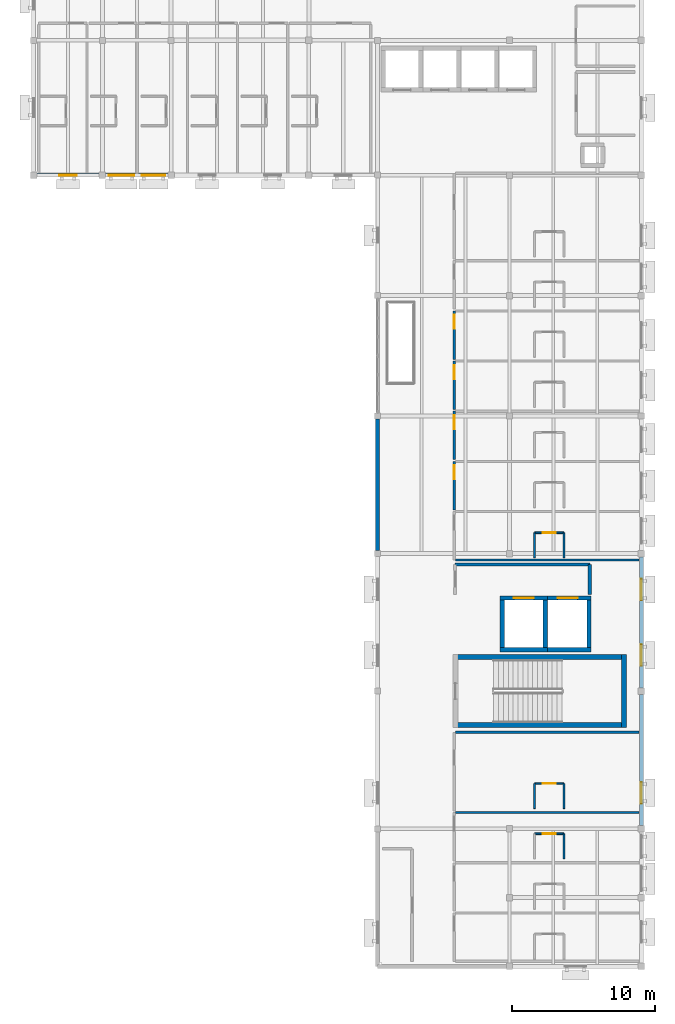
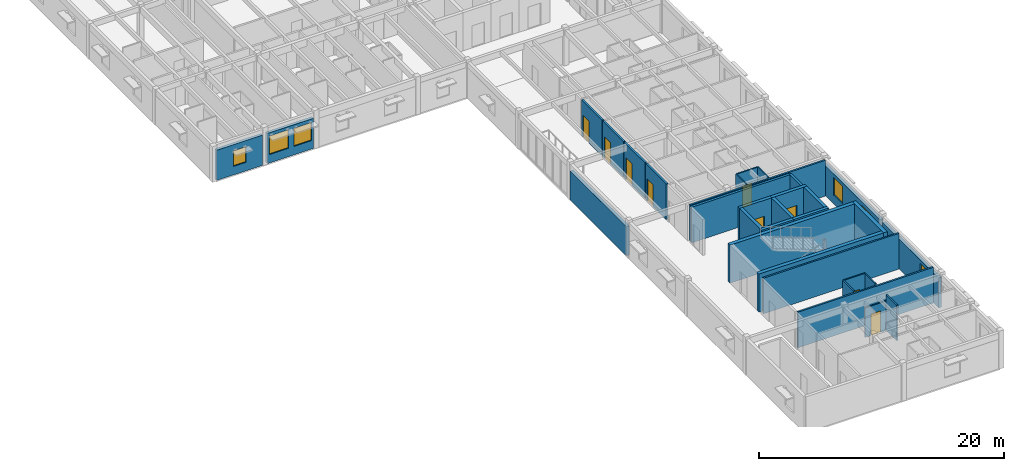
# One storey, part 7 of 17: 32 walls, 9 doors, 6 windows, 15 openings.
"""IFC4 building model written with IfcOpenShell, lengths in metres."""

import ifcopenshell
import ifcopenshell.guid

model = None  # the IFC model being written
_history = None  # IfcOwnerHistory: only IFC2X3 demands one
_inside = {}  # id of a spatial element -> (the spatial element, [elements in it])
_under = {}  # id of a project, library or spatial element -> (it, [spatial elements below it])
_declared = {}  # id of a project -> (the project, [libraries it declares])
_typed = {}  # id of a type object -> (the type object, [elements of that type])
_made_of = {}  # id of a material, layer set ... -> (it, [elements and type objects made of it])


def new_model(schema):
    """Start an empty IFC model of exactly this schema.

    Asked for "IFC4X3", IfcOpenShell would pick the latest addendum, in which some entities
    have other attributes; the version numbers below select the first issue.
    IFC2X3 requires an IfcOwnerHistory on every rooted entity: one is made here for all.
    """
    global model, _history
    if schema == "IFC4X3":
        model = ifcopenshell.file(schema_version=(4, 3, 0, 0))
    else:
        model = ifcopenshell.file(schema=schema)
    _inside.clear()
    _under.clear()
    _declared.clear()
    _typed.clear()
    _made_of.clear()
    _history = None
    if model.schema == "IFC2X3":
        org = make("IfcOrganization", Name="unknown")
        user = make(
            "IfcPersonAndOrganization",
            ThePerson=make("IfcPerson", FamilyName="unknown"),
            TheOrganization=org,
        )
        app = make(
            "IfcApplication",
            ApplicationDeveloper=org,
            Version="unknown",
            ApplicationFullName="unknown",
            ApplicationIdentifier="unknown",
        )
        _history = make(
            "IfcOwnerHistory",
            OwningUser=user,
            OwningApplication=app,
            ChangeAction="ADDED",
            CreationDate=0,
        )
    return model


def make(cls, **values):
    """One entity of the class cls with the attributes given. An attribute that is None is left unset."""
    return model.create_entity(
        cls, **{name: value for name, value in values.items() if value is not None}
    )


def rooted(cls, **values):
    """An entity with a GlobalId (a new one), such as an element, a storey or a relation."""
    return make(cls, GlobalId=ifcopenshell.guid.new(), OwnerHistory=_history, **values)


def si_unit(unit_type, name, prefix=None):
    """IfcSIUnit, for example si_unit("LENGTHUNIT", "METRE", prefix="MILLI")."""
    return make("IfcSIUnit", UnitType=unit_type, Prefix=prefix, Name=name)


def assignment(units):
    """IfcUnitAssignment: the units of a project."""
    return None if units is None else make("IfcUnitAssignment", Units=units)


def point(xyz):
    """IfcCartesianPoint."""
    return None if xyz is None else make("IfcCartesianPoint", Coordinates=xyz)


def direction(xyz):
    """IfcDirection."""
    return None if xyz is None else make("IfcDirection", DirectionRatios=xyz)


def frame(location, z_axis=None, x_axis=None):
    """IfcAxis2Placement3D, a coordinate frame: its origin and axes. An axis left out is left unset."""
    return make(
        "IfcAxis2Placement3D",
        Location=point(location),
        Axis=direction(z_axis),
        RefDirection=direction(x_axis),
    )


def frame_2d(location, x_axis=None):
    """IfcAxis2Placement2D, a coordinate frame in the plane: its origin and x axis."""
    return make(
        "IfcAxis2Placement2D", Location=point(location), RefDirection=direction(x_axis)
    )


def origin():
    """The frame at (0, 0, 0) with its axes left unset."""
    return frame((0.0, 0.0, 0.0))


def place(relative_to, where):
    """IfcLocalPlacement: puts the frame where relative to a parent placement (None: the world)."""
    return make(
        "IfcLocalPlacement", PlacementRelTo=relative_to, RelativePlacement=where
    )


def context(
    kind, dimensions, precision=None, world=None, true_north=None, identifier=None
):
    """IfcGeometricRepresentationContext, for example the 3D "Model" context."""
    return make(
        "IfcGeometricRepresentationContext",
        ContextIdentifier=identifier,
        ContextType=kind,
        CoordinateSpaceDimension=dimensions,
        Precision=precision,
        WorldCoordinateSystem=world,
        TrueNorth=true_north,
    )


def subcontext(parent, identifier, kind, view, scale=None):
    """IfcGeometricRepresentationSubContext, for example "Body" below "Model"."""
    return make(
        "IfcGeometricRepresentationSubContext",
        ContextIdentifier=identifier,
        ContextType=kind,
        ParentContext=parent,
        TargetScale=scale,
        TargetView=view,
    )


def project(units=None, contexts=None):
    """IfcProject with its units and contexts."""
    return rooted(
        "IfcProject",
        Name="project",
        RepresentationContexts=contexts,
        UnitsInContext=assignment(units),
    )


def spatial(cls, under=None, at=None, **own):
    """A site, building, storey or space (cls), placed at a placement, below another one or the project."""
    s = rooted(cls, ObjectPlacement=at, **own)
    if under is not None:
        _under.setdefault(under.id(), (under, []))[1].append(s)
    return s


def profile(cls, at=None, kind="AREA", **sizes):
    """A parametric profile (cls). Its sizes go by their IFC names, for example OverallWidth=200.0."""
    return make(cls, ProfileType=kind, Position=at, **sizes)


def rectangle(**sizes):
    """IfcRectangleProfileDef."""
    return profile("IfcRectangleProfileDef", **sizes)


def extrude(swept, where, along, depth):
    """IfcExtrudedAreaSolid: the profile swept, set in the frame where, extruded along a direction by depth."""
    return make(
        "IfcExtrudedAreaSolid",
        SweptArea=swept,
        Position=where,
        ExtrudedDirection=direction(along),
        Depth=depth,
    )


def shape(context_of_items, identifier, shape_type, items):
    """IfcShapeRepresentation: the items that make up one representation, for example the "Body"."""
    return make(
        "IfcShapeRepresentation",
        ContextOfItems=context_of_items,
        RepresentationIdentifier=identifier,
        RepresentationType=shape_type,
        Items=items,
    )


def material(Name=None, Category=None):
    """IfcMaterial."""
    return make("IfcMaterial", Name=Name, Category=Category)


def layer(
    of_material, thickness, ventilated=None, Name=None, Category=None, Priority=None
):
    """IfcMaterialLayer: one layer of a wall or slab, of a material (None: an air gap)."""
    return make(
        "IfcMaterialLayer",
        Material=of_material,
        LayerThickness=thickness,
        IsVentilated=ventilated,
        Name=Name,
        Category=Category,
        Priority=Priority,
    )


def layer_set(layers, Name=None):
    """IfcMaterialLayerSet."""
    return make("IfcMaterialLayerSet", MaterialLayers=layers, LayerSetName=Name)


def made_of(thing, what):
    """Note that an element or type object is made of a material, layer set ...; save() writes the relation."""
    if what is not None:
        _made_of.setdefault(what.id(), (what, []))[1].append(thing)
    return thing


def type_object(cls, material=None, **own):
    """A type object (cls), such as IfcWallType, which elements share."""
    return made_of(rooted(cls, **own), material)


def element(
    cls,
    number,
    at=None,
    inside=None,
    cuts=None,
    type_object=None,
    material=None,
    context=None,
    identifier="Body",
    shape_type=None,
    held_by="IfcProductDefinitionShape",
    body=None,
    shapes=None,
    **own,
):
    """One element of the class cls, such as IfcWall. Its Tag is "e" and its number.

    at: its placement. inside: the storey or other place that contains it. cuts: it is an
    opening in that element (IfcRelVoidsElement). A single representation is given by context,
    identifier, shape_type and body (its items); several are given by shapes. held_by: the class
    of the entity that holds the representations. save() writes the other relations.
    """
    e = rooted(cls, Tag="e%d" % number, ObjectPlacement=at, **own)
    if body is not None:
        shapes = [shape(context, identifier, shape_type, body)]
    if shapes is not None:
        e.Representation = make(held_by, Representations=shapes)
    if inside is not None:
        _inside.setdefault(inside.id(), (inside, []))[1].append(e)
    if cuts is not None:
        rooted(
            "IfcRelVoidsElement", RelatingBuildingElement=cuts, RelatedOpeningElement=e
        )
    if type_object is not None:
        _typed.setdefault(type_object.id(), (type_object, []))[1].append(e)
    return made_of(e, material)


def fill(opening, filler):
    """IfcRelFillsElement: the door or window that sits in an opening."""
    return rooted(
        "IfcRelFillsElement",
        RelatingOpeningElement=opening,
        RelatedBuildingElement=filler,
    )


def aggregate(whole, parts):
    """IfcRelAggregates: a whole, such as a stair, and the parts it consists of."""
    return rooted("IfcRelAggregates", RelatingObject=whole, RelatedObjects=parts)


def save(model, path):
    """Write the relations noted so far, then the file.

    IfcRelAggregates (storeys below a building ...), IfcRelContainedInSpatialStructure (elements
    in a storey), IfcRelDefinesByType, IfcRelAssociatesMaterial and IfcRelDeclares: one each for
    every whole, place, type object, material and project.
    """
    for whole, parts in _under.values():
        aggregate(whole, parts)
    for where, things in _inside.values():
        rooted(
            "IfcRelContainedInSpatialStructure",
            RelatedElements=things,
            RelatingStructure=where,
        )
    for kind, things in _typed.values():
        rooted("IfcRelDefinesByType", RelatedObjects=things, RelatingType=kind)
    for what, things in _made_of.values():
        rooted("IfcRelAssociatesMaterial", RelatedObjects=things, RelatingMaterial=what)
    for by, libraries in _declared.values():
        rooted("IfcRelDeclares", RelatingContext=by, RelatedDefinitions=libraries)
    model.write(path)


model = new_model("IFC4")

# Units and contexts
model_context = context("Model", 3, precision=1e-05, world=origin(), true_north=direction((0.0, 1.0)))
body_context = subcontext(model_context, "Body", "Model", "MODEL_VIEW")
ifc_project = project(units=[si_unit("LENGTHUNIT", "METRE"), si_unit("AREAUNIT", "SQUARE_METRE"), si_unit("VOLUMEUNIT", "CUBIC_METRE"), si_unit("PLANEANGLEUNIT", "RADIAN"), si_unit("MASSUNIT", "GRAM", prefix="KILO")], contexts=[model_context])

# Site, building, storey
site_placement = place(None, origin())
site = spatial("IfcSite", under=ifc_project, at=site_placement, CompositionType="ELEMENT")
building_placement = place(site_placement, origin())
building = spatial("IfcBuilding", under=site, at=building_placement, Name="Veldera Park Congress Hotel", CompositionType="ELEMENT")
storey_placement = place(building_placement, frame((0.0, 0.0, 35.199951171875)))
storey = spatial("IfcBuildingStorey", under=building, at=storey_placement, Name="L08", CompositionType="ELEMENT", Elevation=35.199951171875)

# Wall, opening, window
ifc_material_1 = material(Name="Cross-laminated timber CLT V2M1.1", Category="wood")
ifc_layer_1 = layer(ifc_material_1, 0.280029296875)
ifc_layer_set_1 = layer_set([ifc_layer_1], Name="Cross-laminated timber CLT V2M1.1")
wall_type_1 = type_object("IfcWallType", Name="EW-CLT280", PredefinedType="STANDARD", material=ifc_layer_set_1)
wall_1_placement = place(storey_placement, frame((84.0, -18.376953125, 0.0), z_axis=(0.0, 0.0, 1.0), x_axis=(0.0, 1.0, 0.0)))
wall_1 = element("IfcWall", 1, at=wall_1_placement, inside=storey, type_object=wall_type_1, Name="L08 Exterior Wall EW3-L08-0373", PredefinedType="STANDARD", context=body_context, shape_type="SweptSolid", body=[
    extrude(rectangle(XDim=9.154052734375, YDim=0.280029296875, at=frame_2d((4.5771484375, 0.0))), origin(), (0.0, 0.0, 1.0), 2.97998046875),
])
opening_1_placement = place(wall_1_placement, frame((1.53857421875, 0.0, 0.85009765625)))
opening_1 = element("IfcOpeningElement", 2, at=opening_1_placement, cuts=wall_1, Name="Opening WIN-1500", PredefinedType="OPENING", context=body_context, shape_type="SweptSolid", body=[
    extrude(rectangle(XDim=1.5, YDim=1.75, at=frame_2d((0.75, 0.875))), frame((0.0, 0.152099609375, 0.0), z_axis=(0.0, -1.0, 0.0), x_axis=(1.0, 0.0, 0.0)), (0.0, 0.0, 1.0), 0.303955078125),
])
ifc_material_2 = material(Name="Low-E Triple Insulating Glass Unit (SHGC 0.22)", Category="glass")
window_type_1 = type_object("IfcWindowType", Name="WIN-1500", PartitioningType="SINGLE_PANEL", PredefinedType="WINDOW", material=ifc_material_2)
window_1_placement = place(opening_1_placement, origin())
window_1 = element("IfcWindow", 3, at=window_1_placement, inside=storey, type_object=window_type_1, Name="L08 Window WIN-1500 284", OverallHeight=1.75, OverallWidth=1.5, PartitioningType="SINGLE_PANEL", PredefinedType="WINDOW", context=body_context, shape_type="SweptSolid", body=[
    extrude(rectangle(XDim=1.5, YDim=1.75, at=frame_2d((0.75, 0.875))), frame((0.0, 0.030029296875, 0.0), z_axis=(0.0, -1.0, 0.0), x_axis=(1.0, 0.0, 0.0)), (0.0, 0.0, 1.0), 0.06005859375),
])
fill(opening_1, window_1)

# Wall, openings, windows
wall_2_placement = place(storey_placement, frame((84.0, -8.777099609375, 0.0), z_axis=(0.0, 0.0, 1.0), x_axis=(0.0, 1.0, 0.0)))
wall_2 = element("IfcWall", 4, at=wall_2_placement, inside=storey, type_object=wall_type_1, Name="L08 Exterior Wall EW3-L08-0374", PredefinedType="STANDARD", context=body_context, shape_type="SweptSolid", body=[
    extrude(rectangle(XDim=9.154052734375, YDim=0.280029296875, at=frame_2d((4.5771484375, 0.0))), origin(), (0.0, 0.0, 1.0), 2.97998046875),
])
opening_2_placement = place(wall_2_placement, frame((1.53857421875, 0.0, 0.85009765625)))
opening_2 = element("IfcOpeningElement", 5, at=opening_2_placement, cuts=wall_2, Name="Opening WIN-1500", PredefinedType="OPENING", context=body_context, shape_type="SweptSolid", body=[
    extrude(rectangle(XDim=1.5, YDim=1.75, at=frame_2d((0.75, 0.875))), frame((0.0, 0.152099609375, 0.0), z_axis=(0.0, -1.0, 0.0), x_axis=(1.0, 0.0, 0.0)), (0.0, 0.0, 1.0), 0.303955078125),
])
opening_3_placement = place(wall_2_placement, frame((6.115478515625, 0.0, 0.85009765625)))
opening_3 = element("IfcOpeningElement", 6, at=opening_3_placement, cuts=wall_2, Name="Opening WIN-1500", PredefinedType="OPENING", context=body_context, shape_type="SweptSolid", body=[
    extrude(rectangle(XDim=1.5, YDim=1.75, at=frame_2d((0.75, 0.875))), frame((0.0, 0.152099609375, 0.0), z_axis=(0.0, -1.0, 0.0), x_axis=(1.0, 0.0, 0.0)), (0.0, 0.0, 1.0), 0.303955078125),
])
window_2_placement = place(opening_2_placement, origin())
window_2 = element("IfcWindow", 7, at=window_2_placement, inside=storey, type_object=window_type_1, Name="L08 Window WIN-1500 285", OverallHeight=1.75, OverallWidth=1.5, PartitioningType="SINGLE_PANEL", PredefinedType="WINDOW", context=body_context, shape_type="SweptSolid", body=[
    extrude(rectangle(XDim=1.5, YDim=1.75, at=frame_2d((0.75, 0.875))), frame((0.0, 0.030029296875, 0.0), z_axis=(0.0, -1.0, 0.0), x_axis=(1.0, 0.0, 0.0)), (0.0, 0.0, 1.0), 0.06005859375),
])
fill(opening_2, window_2)
window_3_placement = place(opening_3_placement, origin())
window_3 = element("IfcWindow", 8, at=window_3_placement, inside=storey, type_object=window_type_1, Name="L08 Window WIN-1500 286", OverallHeight=1.75, OverallWidth=1.5, PartitioningType="SINGLE_PANEL", PredefinedType="WINDOW", context=body_context, shape_type="SweptSolid", body=[
    extrude(rectangle(XDim=1.5, YDim=1.75, at=frame_2d((0.75, 0.875))), frame((0.0, 0.030029296875, 0.0), z_axis=(0.0, -1.0, 0.0), x_axis=(1.0, 0.0, 0.0)), (0.0, 0.0, 1.0), 0.06005859375),
])
fill(opening_3, window_3)

# Wall, opening, window
wall_3_placement = place(storey_placement, frame((41.822998046875, 27.0, 0.0), z_axis=(0.0, 0.0, 1.0), x_axis=(1.0, 0.0, 0.0)))
wall_3 = element("IfcWall", 9, at=wall_3_placement, inside=storey, type_object=wall_type_1, Name="L08 Exterior Wall EW3-L08-0388", PredefinedType="STANDARD", context=body_context, shape_type="SweptSolid", body=[
    extrude(rectangle(XDim=4.35400390625, YDim=0.280029296875, at=frame_2d((2.177001953125, 0.0))), origin(), (0.0, 0.0, 1.0), 3.02001953125),
])
opening_4_placement = place(wall_3_placement, frame((1.576904296875, 0.0, 0.85009765625)))
opening_4 = element("IfcOpeningElement", 10, at=opening_4_placement, cuts=wall_3, Name="Opening WIN-1200", PredefinedType="OPENING", context=body_context, shape_type="SweptSolid", body=[
    extrude(rectangle(XDim=1.199951171875, YDim=1.550048828125, at=frame_2d((0.60009765625, 0.77490234375))), frame((0.0, 0.152099609375, 0.0), z_axis=(0.0, -1.0, 0.0), x_axis=(1.0, 0.0, 0.0)), (0.0, 0.0, 1.0), 0.303955078125),
])
window_type_2 = type_object("IfcWindowType", Name="WIN-1200", PartitioningType="SINGLE_PANEL", PredefinedType="WINDOW", material=ifc_material_2)
window_4_placement = place(opening_4_placement, origin())
window_4 = element("IfcWindow", 11, at=window_4_placement, inside=storey, type_object=window_type_2, Name="L08 Window WIN-1200 299", OverallHeight=1.550048828125, OverallWidth=1.199951171875, PartitioningType="SINGLE_PANEL", PredefinedType="WINDOW", context=body_context, shape_type="SweptSolid", body=[
    extrude(rectangle(XDim=1.199951171875, YDim=1.550048828125, at=frame_2d((0.60009765625, 0.77490234375))), frame((0.0, 0.030029296875, 0.0), z_axis=(0.0, -1.0, 0.0), x_axis=(1.0, 0.0, 0.0)), (0.0, 0.0, 1.0), 0.06005859375),
])
fill(opening_4, window_4)

# Wall, openings, windows
wall_4_placement = place(storey_placement, frame((46.623046875, 27.0, 0.0), z_axis=(0.0, 0.0, 1.0), x_axis=(1.0, 0.0, 0.0)))
wall_4 = element("IfcWall", 12, at=wall_4_placement, inside=storey, type_object=wall_type_1, Name="L08 Exterior Wall EW3-L08-0389", PredefinedType="STANDARD", context=body_context, shape_type="SweptSolid", body=[
    extrude(rectangle(XDim=4.35400390625, YDim=0.280029296875, at=frame_2d((2.177001953125, 0.0))), origin(), (0.0, 0.0, 1.0), 3.02001953125),
])
opening_5_placement = place(wall_4_placement, frame((0.20361328125, 0.0, 0.85009765625)))
opening_5 = element("IfcOpeningElement", 13, at=opening_5_placement, cuts=wall_4, Name="Opening WIN-1800", PredefinedType="OPENING", context=body_context, shape_type="SweptSolid", body=[
    extrude(rectangle(XDim=1.800048828125, YDim=1.85009765625, at=frame_2d((0.89990234375, 0.925048828125))), frame((0.0, 0.152099609375, 0.0), z_axis=(0.0, -1.0, 0.0), x_axis=(1.0, 0.0, 0.0)), (0.0, 0.0, 1.0), 0.303955078125),
])
opening_6_placement = place(wall_4_placement, frame((2.515380859375, 0.0, 0.85009765625)))
opening_6 = element("IfcOpeningElement", 14, at=opening_6_placement, cuts=wall_4, Name="Opening WIN-1650", PredefinedType="OPENING", context=body_context, shape_type="SweptSolid", body=[
    extrude(rectangle(XDim=1.64990234375, YDim=1.800048828125, at=frame_2d((0.824951171875, 0.89990234375))), frame((0.0, 0.152099609375, 0.0), z_axis=(0.0, -1.0, 0.0), x_axis=(1.0, 0.0, 0.0)), (0.0, 0.0, 1.0), 0.303955078125),
])
window_type_3 = type_object("IfcWindowType", Name="WIN-1650", PartitioningType="SINGLE_PANEL", PredefinedType="WINDOW", material=ifc_material_2)
window_5_placement = place(opening_6_placement, origin())
window_5 = element("IfcWindow", 15, at=window_5_placement, inside=storey, type_object=window_type_3, Name="L08 Window WIN-1650 561", OverallHeight=1.800048828125, OverallWidth=1.64990234375, PartitioningType="SINGLE_PANEL", PredefinedType="WINDOW", context=body_context, shape_type="SweptSolid", body=[
    extrude(rectangle(XDim=1.64990234375, YDim=1.800048828125, at=frame_2d((0.824951171875, 0.89990234375))), frame((0.0, 0.030029296875, 0.0), z_axis=(0.0, -1.0, 0.0), x_axis=(1.0, 0.0, 0.0)), (0.0, 0.0, 1.0), 0.06005859375),
])
fill(opening_6, window_5)
window_type_4 = type_object("IfcWindowType", Name="WIN-1800", PartitioningType="SINGLE_PANEL", PredefinedType="WINDOW", material=ifc_material_2)
window_6_placement = place(opening_5_placement, origin())
window_6 = element("IfcWindow", 16, at=window_6_placement, inside=storey, type_object=window_type_4, Name="L08 Window WIN-1800 560", OverallHeight=1.85009765625, OverallWidth=1.800048828125, PartitioningType="SINGLE_PANEL", PredefinedType="WINDOW", context=body_context, shape_type="SweptSolid", body=[
    extrude(rectangle(XDim=1.800048828125, YDim=1.85009765625, at=frame_2d((0.89990234375, 0.925048828125))), frame((0.0, 0.030029296875, 0.0), z_axis=(0.0, -1.0, 0.0), x_axis=(1.0, 0.0, 0.0)), (0.0, 0.0, 1.0), 0.06005859375),
])
fill(opening_5, window_6)

# Walls
wall_5_placement = place(storey_placement, frame((65.60009765625, 9.991943359375, 0.0), z_axis=(0.0, 0.0, 1.0), x_axis=(0.0, -1.0, 0.0)))
element("IfcWall", 17, at=wall_5_placement, inside=storey, type_object=wall_type_1, Name="L08 Exterior Wall EW3-L08-0393", PredefinedType="STANDARD", context=body_context, shape_type="SweptSolid", body=[
    extrude(rectangle(XDim=9.183837890625, YDim=0.280029296875, at=frame_2d((4.591796875, 0.0))), origin(), (0.0, 0.0, 1.0), 2.920166015625),
])
ifc_material_3 = material(Name="Fire-Rated Gypsum Board on Cold-Formed Steel Studs", Category="steel")
ifc_layer_2 = layer(ifc_material_3, 0.1201171875)
ifc_layer_set_2 = layer_set([ifc_layer_2], Name="Fire-Rated Gypsum Board on Cold-Formed Steel Studs")
wall_type_2 = type_object("IfcWallType", Name="IW-BATH120", PredefinedType="PARTITIONING", material=ifc_layer_set_2)
wall_6_placement = place(storey_placement, frame((78.60009765625, -20.699951171875, 0.0), z_axis=(0.0, 0.0, 1.0), x_axis=(0.0, 1.0, 0.0)))
element("IfcWall", 18, at=wall_6_placement, inside=storey, type_object=wall_type_2, Name="L08 Partition Wall IW3-L08-01492", PredefinedType="PARTITIONING", context=body_context, shape_type="SweptSolid", body=[
    extrude(rectangle(XDim=1.75, YDim=0.1201171875, at=frame_2d((0.875, 0.0))), origin(), (0.0, 0.0, 1.0), 3.56494140625),
])

# Wall, opening, door
wall_7_placement = place(storey_placement, frame((76.550048828125, -18.949951171875, 0.0), z_axis=(0.0, 0.0, 1.0), x_axis=(1.0, 0.0, 0.0)))
wall_7 = element("IfcWall", 19, at=wall_7_placement, inside=storey, type_object=wall_type_2, Name="L08 Partition Wall IW3-L08-01493", PredefinedType="PARTITIONING", context=body_context, shape_type="SweptSolid", body=[
    extrude(rectangle(XDim=2.050048828125, YDim=0.1201171875, at=frame_2d((1.02490234375, 0.0))), origin(), (0.0, 0.0, 1.0), 2.93994140625),
])
opening_7_placement = place(wall_7_placement, frame((0.574951171875, 0.0, 0.0)))
opening_7 = element("IfcOpeningElement", 20, at=opening_7_placement, cuts=wall_7, Name="Opening ID-BATH090", PredefinedType="OPENING", context=body_context, shape_type="SweptSolid", body=[
    extrude(rectangle(XDim=0.89990234375, YDim=2.14990234375, at=frame_2d((0.449951171875, 1.074951171875))), frame((0.0, 0.072021484375, 0.0), z_axis=(0.0, -1.0, 0.0), x_axis=(1.0, 0.0, 0.0)), (0.0, 0.0, 1.0), 0.14404296875),
])
ifc_material_4 = material(Name="Solid Core White Oak Architectural Door", Category="wood")
door_type_1 = type_object("IfcDoorType", Name="ID-BATH090", OperationType="NOTDEFINED", PredefinedType="DOOR", material=ifc_material_4)
door_1_placement = place(opening_7_placement, origin())
door_1 = element("IfcDoor", 21, at=door_1_placement, inside=storey, type_object=door_type_1, Name="L08 En-suite 239 Door ID3-L08-0617 (DR3-ID3-L08-0617)", OperationType="SINGLE_SWING_LEFT", OverallHeight=2.14990234375, OverallWidth=0.89990234375, PredefinedType="DOOR", context=body_context, shape_type="SweptSolid", body=[
    extrude(rectangle(XDim=0.89990234375, YDim=2.14990234375, at=frame_2d((0.449951171875, 1.074951171875))), frame((0.0, 0.02490234375, 0.0), z_axis=(0.0, -1.0, 0.0), x_axis=(1.0, 0.0, 0.0)), (0.0, 0.0, 1.0), 0.050048828125),
])
fill(opening_7, door_1)

# Walls
for number, where, z_axis, x_axis, name in (
    (22, (76.550048828125, -17.199951171875, 0.0), (0.0, 0.0, 1.0), (0.0, 1.0, 0.0), "L08 Partition Wall IW3-L08-01496"),
    (23, (78.60009765625, -17.199951171875, 0.0), (0.0, 0.0, 1.0), (0.0, 1.0, 0.0), "L08 Partition Wall IW3-L08-01497"),
):
    element("IfcWall", number, at=place(storey_placement, frame(where, z_axis=z_axis, x_axis=x_axis)), inside=storey, type_object=wall_type_2, Name=name, PredefinedType="PARTITIONING", context=body_context, shape_type="SweptSolid", body=[
        extrude(rectangle(XDim=1.75, YDim=0.1201171875, at=frame_2d((0.875, 0.0))), origin(), (0.0, 0.0, 1.0), 3.56494140625),
    ])

# Wall, opening, door
wall_8_placement = place(storey_placement, frame((76.550048828125, -15.449951171875, 0.0), z_axis=(0.0, 0.0, 1.0), x_axis=(1.0, 0.0, 0.0)))
wall_8 = element("IfcWall", 24, at=wall_8_placement, inside=storey, type_object=wall_type_2, Name="L08 Partition Wall IW3-L08-01498", PredefinedType="PARTITIONING", context=body_context, shape_type="SweptSolid", body=[
    extrude(rectangle(XDim=2.050048828125, YDim=0.1201171875, at=frame_2d((1.02490234375, 0.0))), origin(), (0.0, 0.0, 1.0), 3.56494140625),
])
opening_8_placement = place(wall_8_placement, frame((0.574951171875, 0.0, 0.0)))
opening_8 = element("IfcOpeningElement", 25, at=opening_8_placement, cuts=wall_8, Name="Opening ID-BATH090", PredefinedType="OPENING", context=body_context, shape_type="SweptSolid", body=[
    extrude(rectangle(XDim=0.89990234375, YDim=2.14990234375, at=frame_2d((0.449951171875, 1.074951171875))), frame((0.0, 0.072021484375, 0.0), z_axis=(0.0, -1.0, 0.0), x_axis=(1.0, 0.0, 0.0)), (0.0, 0.0, 1.0), 0.14404296875),
])
door_2_placement = place(opening_8_placement, origin())
door_2 = element("IfcDoor", 26, at=door_2_placement, inside=storey, type_object=door_type_1, Name="L08 En-suite 240 Door ID3-L08-0619 (DR3-ID3-L08-0619)", OperationType="SINGLE_SWING_LEFT", OverallHeight=2.14990234375, OverallWidth=0.89990234375, PredefinedType="DOOR", context=body_context, shape_type="SweptSolid", body=[
    extrude(rectangle(XDim=0.89990234375, YDim=2.14990234375, at=frame_2d((0.449951171875, 1.074951171875))), frame((0.0, 0.02490234375, 0.0), z_axis=(0.0, -1.0, 0.0), x_axis=(1.0, 0.0, 0.0)), (0.0, 0.0, 1.0), 0.050048828125),
])
fill(opening_8, door_2)

# Walls
for number, where, z_axis, x_axis, name in (
    (27, (76.550048828125, 0.300048828125, 0.0), (0.0, 0.0, 1.0), (0.0, 1.0, 0.0), "L08 Partition Wall IW3-L08-01502"),
    (28, (78.60009765625, 0.300048828125, 0.0), (0.0, 0.0, 1.0), (0.0, 1.0, 0.0), "L08 Partition Wall IW3-L08-01503"),
):
    element("IfcWall", number, at=place(storey_placement, frame(where, z_axis=z_axis, x_axis=x_axis)), inside=storey, type_object=wall_type_2, Name=name, PredefinedType="PARTITIONING", context=body_context, shape_type="SweptSolid", body=[
        extrude(rectangle(XDim=1.75, YDim=0.1201171875, at=frame_2d((0.875, 0.0))), origin(), (0.0, 0.0, 1.0), 3.56494140625),
    ])

# Wall, opening, door
wall_9_placement = place(storey_placement, frame((76.550048828125, 2.050048828125, 0.0), z_axis=(0.0, 0.0, 1.0), x_axis=(1.0, 0.0, 0.0)))
wall_9 = element("IfcWall", 29, at=wall_9_placement, inside=storey, type_object=wall_type_2, Name="L08 Partition Wall IW3-L08-01504", PredefinedType="PARTITIONING", context=body_context, shape_type="SweptSolid", body=[
    extrude(rectangle(XDim=2.050048828125, YDim=0.1201171875, at=frame_2d((1.02490234375, 0.0))), origin(), (0.0, 0.0, 1.0), 3.56494140625),
])
opening_9_placement = place(wall_9_placement, frame((0.574951171875, 0.0, 0.0)))
opening_9 = element("IfcOpeningElement", 30, at=opening_9_placement, cuts=wall_9, Name="Opening ID-BATH090", PredefinedType="OPENING", context=body_context, shape_type="SweptSolid", body=[
    extrude(rectangle(XDim=0.89990234375, YDim=2.14990234375, at=frame_2d((0.449951171875, 1.074951171875))), frame((0.0, 0.072021484375, 0.0), z_axis=(0.0, -1.0, 0.0), x_axis=(1.0, 0.0, 0.0)), (0.0, 0.0, 1.0), 0.14404296875),
])
door_3_placement = place(opening_9_placement, origin())
door_3 = element("IfcDoor", 31, at=door_3_placement, inside=storey, type_object=door_type_1, Name="L08 En-suite 241 Door ID3-L08-0621 (DR3-ID3-L08-0621)", OperationType="SINGLE_SWING_LEFT", OverallHeight=2.14990234375, OverallWidth=0.89990234375, PredefinedType="DOOR", context=body_context, shape_type="SweptSolid", body=[
    extrude(rectangle(XDim=0.89990234375, YDim=2.14990234375, at=frame_2d((0.449951171875, 1.074951171875))), frame((0.0, 0.02490234375, 0.0), z_axis=(0.0, -1.0, 0.0), x_axis=(1.0, 0.0, 0.0)), (0.0, 0.0, 1.0), 0.050048828125),
])
fill(opening_9, door_3)

ifc_layer_3 = layer(ifc_material_3, 0.179931640625)
ifc_layer_set_3 = layer_set([ifc_layer_3], Name="Fire-Rated Gypsum Board on Cold-Formed Steel Studs")
wall_type_3 = type_object("IfcWallType", Name="IW-CORR180", PredefinedType="PARTITIONING", material=ifc_layer_set_3)
wall_10_placement = place(storey_placement, frame((70.949951171875, 7.030029296875, 0.0), z_axis=(0.0, 0.0, 1.0), x_axis=(0.0, -1.0, 0.0)))
wall_10 = element("IfcWall", 32, at=wall_10_placement, inside=storey, type_object=wall_type_3, Name="L08 Corridor Wall IW3-L08-01505", PredefinedType="PARTITIONING", context=body_context, shape_type="SweptSolid", body=[
    extrude(rectangle(XDim=3.380126953125, YDim=0.179931640625, at=frame_2d((1.68994140625, 0.0))), origin(), (0.0, 0.0, 1.0), 3.56494140625),
])
opening_10_placement = place(wall_10_placement, frame((0.280029296875, 0.0, 0.0)))
opening_10 = element("IfcOpeningElement", 33, at=opening_10_placement, cuts=wall_10, Name="Opening ID-UNIT098", PredefinedType="OPENING", context=body_context, shape_type="SweptSolid", body=[
    extrude(rectangle(XDim=0.97998046875, YDim=2.179931640625, at=frame_2d((0.489990234375, 1.08984375))), frame((0.0, 0.10205078125, 0.0), z_axis=(0.0, -1.0, 0.0), x_axis=(1.0, 0.0, 0.0)), (0.0, 0.0, 1.0), 0.203857421875),
])
door_type_2 = type_object("IfcDoorType", Name="ID-UNIT098", OperationType="NOTDEFINED", PredefinedType="DOOR", material=ifc_material_4)
door_4_placement = place(opening_10_placement, origin())
door_4 = element("IfcDoor", 34, at=door_4_placement, inside=storey, type_object=door_type_2, Name="L08 Guestroom 242 Entry Door (DR3-UD3-L08-242)", OperationType="SINGLE_SWING_RIGHT", OverallHeight=2.179931640625, OverallWidth=0.97998046875, PredefinedType="DOOR", context=body_context, shape_type="SweptSolid", body=[
    extrude(rectangle(XDim=0.97998046875, YDim=2.179931640625, at=frame_2d((0.489990234375, 1.08984375))), frame((0.0, 0.02490234375, 0.0), z_axis=(0.0, -1.0, 0.0), x_axis=(1.0, 0.0, 0.0)), (0.0, 0.0, 1.0), 0.050048828125),
])
fill(opening_10, door_4)

wall_11_placement = place(storey_placement, frame((70.949951171875, 10.530029296875, 0.0), z_axis=(0.0, 0.0, 1.0), x_axis=(0.0, -1.0, 0.0)))
wall_11 = element("IfcWall", 35, at=wall_11_placement, inside=storey, type_object=wall_type_3, Name="L08 Corridor Wall IW3-L08-01510", PredefinedType="PARTITIONING", context=body_context, shape_type="SweptSolid", body=[
    extrude(rectangle(XDim=3.380126953125, YDim=0.179931640625, at=frame_2d((1.68994140625, 0.0))), origin(), (0.0, 0.0, 1.0), 3.56494140625),
])
opening_11_placement = place(wall_11_placement, frame((0.280029296875, 0.0, 0.0)))
opening_11 = element("IfcOpeningElement", 36, at=opening_11_placement, cuts=wall_11, Name="Opening ID-UNIT098", PredefinedType="OPENING", context=body_context, shape_type="SweptSolid", body=[
    extrude(rectangle(XDim=0.97998046875, YDim=2.179931640625, at=frame_2d((0.489990234375, 1.08984375))), frame((0.0, 0.10205078125, 0.0), z_axis=(0.0, -1.0, 0.0), x_axis=(1.0, 0.0, 0.0)), (0.0, 0.0, 1.0), 0.203857421875),
])
door_5_placement = place(opening_11_placement, origin())
door_5 = element("IfcDoor", 37, at=door_5_placement, inside=storey, type_object=door_type_2, Name="L08 Guestroom 243 Entry Door (DR3-UD3-L08-243)", OperationType="SINGLE_SWING_RIGHT", OverallHeight=2.179931640625, OverallWidth=0.97998046875, PredefinedType="DOOR", context=body_context, shape_type="SweptSolid", body=[
    extrude(rectangle(XDim=0.97998046875, YDim=2.179931640625, at=frame_2d((0.489990234375, 1.08984375))), frame((0.0, 0.02490234375, 0.0), z_axis=(0.0, -1.0, 0.0), x_axis=(1.0, 0.0, 0.0)), (0.0, 0.0, 1.0), 0.050048828125),
])
fill(opening_11, door_5)

wall_12_placement = place(storey_placement, frame((70.949951171875, 14.030029296875, 0.0), z_axis=(0.0, 0.0, 1.0), x_axis=(0.0, -1.0, 0.0)))
wall_12 = element("IfcWall", 38, at=wall_12_placement, inside=storey, type_object=wall_type_3, Name="L08 Corridor Wall IW3-L08-01515", PredefinedType="PARTITIONING", context=body_context, shape_type="SweptSolid", body=[
    extrude(rectangle(XDim=3.380126953125, YDim=0.179931640625, at=frame_2d((1.68994140625, 0.0))), origin(), (0.0, 0.0, 1.0), 3.56494140625),
])
opening_12_placement = place(wall_12_placement, frame((0.280029296875, 0.0, 0.0)))
opening_12 = element("IfcOpeningElement", 39, at=opening_12_placement, cuts=wall_12, Name="Opening ID-UNIT098", PredefinedType="OPENING", context=body_context, shape_type="SweptSolid", body=[
    extrude(rectangle(XDim=0.97998046875, YDim=2.179931640625, at=frame_2d((0.489990234375, 1.08984375))), frame((0.0, 0.10205078125, 0.0), z_axis=(0.0, -1.0, 0.0), x_axis=(1.0, 0.0, 0.0)), (0.0, 0.0, 1.0), 0.203857421875),
])
door_6_placement = place(opening_12_placement, origin())
door_6 = element("IfcDoor", 40, at=door_6_placement, inside=storey, type_object=door_type_2, Name="L08 Guestroom 244 Entry Door (DR3-UD3-L08-244)", OperationType="SINGLE_SWING_RIGHT", OverallHeight=2.179931640625, OverallWidth=0.97998046875, PredefinedType="DOOR", context=body_context, shape_type="SweptSolid", body=[
    extrude(rectangle(XDim=0.97998046875, YDim=2.179931640625, at=frame_2d((0.489990234375, 1.08984375))), frame((0.0, 0.02490234375, 0.0), z_axis=(0.0, -1.0, 0.0), x_axis=(1.0, 0.0, 0.0)), (0.0, 0.0, 1.0), 0.050048828125),
])
fill(opening_12, door_6)

wall_13_placement = place(storey_placement, frame((70.949951171875, 17.530029296875, 0.0), z_axis=(0.0, 0.0, 1.0), x_axis=(0.0, -1.0, 0.0)))
wall_13 = element("IfcWall", 41, at=wall_13_placement, inside=storey, type_object=wall_type_3, Name="L08 Corridor Wall IW3-L08-01520", PredefinedType="PARTITIONING", context=body_context, shape_type="SweptSolid", body=[
    extrude(rectangle(XDim=3.380126953125, YDim=0.179931640625, at=frame_2d((1.68994140625, 0.0))), origin(), (0.0, 0.0, 1.0), 3.56494140625),
])
opening_13_placement = place(wall_13_placement, frame((0.280029296875, 0.0, 0.0)))
opening_13 = element("IfcOpeningElement", 42, at=opening_13_placement, cuts=wall_13, Name="Opening ID-UNIT098", PredefinedType="OPENING", context=body_context, shape_type="SweptSolid", body=[
    extrude(rectangle(XDim=0.97998046875, YDim=2.179931640625, at=frame_2d((0.489990234375, 1.08984375))), frame((0.0, 0.10205078125, 0.0), z_axis=(0.0, -1.0, 0.0), x_axis=(1.0, 0.0, 0.0)), (0.0, 0.0, 1.0), 0.203857421875),
])
door_7_placement = place(opening_13_placement, origin())
door_7 = element("IfcDoor", 43, at=door_7_placement, inside=storey, type_object=door_type_2, Name="L08 Guestroom 245 Entry Door (DR3-UD3-L08-245)", OperationType="SINGLE_SWING_RIGHT", OverallHeight=2.179931640625, OverallWidth=0.97998046875, PredefinedType="DOOR", context=body_context, shape_type="SweptSolid", body=[
    extrude(rectangle(XDim=0.97998046875, YDim=2.179931640625, at=frame_2d((0.489990234375, 1.08984375))), frame((0.0, 0.02490234375, 0.0), z_axis=(0.0, -1.0, 0.0), x_axis=(1.0, 0.0, 0.0)), (0.0, 0.0, 1.0), 0.050048828125),
])
fill(opening_13, door_7)

# Walls
ifc_material_5 = material(Name="Concrete f'c 40 MPa (5,800 psi)", Category="concrete")
ifc_layer_4 = layer(ifc_material_5, 0.219970703125)
ifc_layer_set_4 = layer_set([ifc_layer_4], Name="Concrete f'c 40 MPa (5,800 psi)")
wall_type_4 = type_object("IfcWallType", Name="IW-FIRE220", PredefinedType="STANDARD", material=ifc_layer_set_4)
wall_14_placement = place(storey_placement, frame((80.39990234375, -2.25, 0.0), z_axis=(0.0, 0.0, 1.0), x_axis=(0.0, 1.0, 0.0)))
element("IfcWall", 44, at=wall_14_placement, inside=storey, type_object=wall_type_4, Name="L08 Partition Wall IW3-L08-00304", PredefinedType="STANDARD", context=body_context, shape_type="SweptSolid", body=[
    extrude(rectangle(XDim=2.10009765625, YDim=0.219970703125, at=frame_2d((1.050048828125, 0.0))), origin(), (0.0, 0.0, 1.0), 3.56494140625),
])
wall_15_placement = place(storey_placement, frame((80.39990234375, -0.14990234375, 0.0), z_axis=(0.0, 0.0, 1.0), x_axis=(-1.0, 0.0, 0.0)))
element("IfcWall", 45, at=wall_15_placement, inside=storey, type_object=wall_type_4, Name="L08 Partition Wall IW3-L08-00305", PredefinedType="STANDARD", context=body_context, shape_type="SweptSolid", body=[
    extrude(rectangle(XDim=9.39990234375, YDim=0.219970703125, at=frame_2d((4.699951171875, 0.0))), origin(), (0.0, 0.0, 1.0), 3.56494140625),
])
ifc_layer_5 = layer(ifc_material_1, 0.159912109375)
ifc_layer_set_5 = layer_set([ifc_layer_5], Name="Cross-laminated timber CLT V2M1.1")
wall_type_5 = type_object("IfcWallType", Name="IW-UNIT160", PredefinedType="PARTITIONING", material=ifc_layer_set_5)
for number, where, z_axis, x_axis, name in (
    (46, (71.050048828125, -17.469970703125, 0.0), (0.0, 0.0, 1.0), (1.0, 0.0, 0.0), "L08 Partition Wall IW3-L08-01490"),
    (47, (71.050048828125, -11.8701171875, 0.0), (0.0, 0.0, 1.0), (1.0, 0.0, 0.0), "L08 Partition Wall IW3-L08-01495"),
    (48, (71.050048828125, 0.14990234375, 0.0), (0.0, 0.0, 1.0), (1.0, 0.0, 0.0), "L08 Partition Wall IW3-L08-01500"),
):
    element("IfcWall", number, at=place(storey_placement, frame(where, z_axis=z_axis, x_axis=x_axis)), inside=storey, type_object=wall_type_5, Name=name, PredefinedType="PARTITIONING", context=body_context, shape_type="SweptSolid", body=[
        extrude(rectangle(XDim=12.7900390625, YDim=0.159912109375, at=frame_2d((6.39501953125, 0.0))), origin(), (0.0, 0.0, 1.0), 3.56494140625),
    ])
ifc_layer_6 = layer(ifc_material_5, 0.35009765625)
ifc_layer_set_6 = layer_set([ifc_layer_6], Name="Concrete f'c 40 MPa (5,800 psi)")
wall_type_6 = type_object("IfcWallType", Name="SW-CORE350", PredefinedType="SHEAR", material=ifc_layer_set_6)
wall_16_placement = place(storey_placement, frame((70.85009765625, -11.375, 0.0), z_axis=(0.0, 0.0, 1.0), x_axis=(1.0, 0.0, 0.0)))
element("IfcWall", 49, at=wall_16_placement, inside=storey, type_object=wall_type_6, Name="Stair ST2 Core Wall L08-S", PredefinedType="SHEAR", context=body_context, shape_type="SweptSolid", body=[
    extrude(rectangle(XDim=12.099853515625, YDim=0.35009765625, at=frame_2d((6.0498046875, 0.0))), origin(), (0.0, 0.0, 1.0), 3.800048828125),
])
wall_17_placement = place(storey_placement, frame((82.77490234375, -11.550048828125, 0.0), z_axis=(0.0, 0.0, 1.0), x_axis=(0.0, 1.0, 0.0)))
element("IfcWall", 50, at=wall_17_placement, inside=storey, type_object=wall_type_6, Name="Stair ST2 Core Wall L08-E", PredefinedType="SHEAR", context=body_context, shape_type="SweptSolid", body=[
    extrude(rectangle(XDim=5.10009765625, YDim=0.35009765625, at=frame_2d((2.550048828125, 0.0))), origin(), (0.0, 0.0, 1.0), 3.800048828125),
])
wall_18_placement = place(storey_placement, frame((82.949951171875, -6.625, 0.0), z_axis=(0.0, 0.0, 1.0), x_axis=(-1.0, 0.0, 0.0)))
element("IfcWall", 51, at=wall_18_placement, inside=storey, type_object=wall_type_6, Name="Stair ST2 Core Wall L08-N", PredefinedType="SHEAR", context=body_context, shape_type="SweptSolid", body=[
    extrude(rectangle(XDim=12.099853515625, YDim=0.35009765625, at=frame_2d((6.0498046875, 0.0))), origin(), (0.0, 0.0, 1.0), 3.800048828125),
])
ifc_layer_7 = layer(ifc_material_5, 0.300048828125)
ifc_layer_set_7 = layer_set([ifc_layer_7], Name="Concrete f'c 40 MPa (5,800 psi)")
wall_type_7 = type_object("IfcWallType", Name="SW-SHFT300", PredefinedType="SHEAR", material=ifc_layer_set_7)
wall_19_placement = place(storey_placement, frame((74.14990234375, -6.10009765625, 0.0), z_axis=(0.0, 0.0, 1.0), x_axis=(1.0, 0.0, 0.0)))
element("IfcWall", 52, at=wall_19_placement, inside=storey, type_object=wall_type_7, Name="Lift SL-01 Shaft Wall L08-S", PredefinedType="SHEAR", context=body_context, shape_type="SweptSolid", body=[
    extrude(rectangle(XDim=3.300048828125, YDim=0.300048828125, at=frame_2d((1.64990234375, 0.0))), origin(), (0.0, 0.0, 1.0), 3.800048828125),
])

# Wall, opening, door
wall_20_placement = place(storey_placement, frame((77.449951171875, -2.5, 0.0), z_axis=(0.0, 0.0, 1.0), x_axis=(-1.0, 0.0, 0.0)))
wall_20 = element("IfcWall", 53, at=wall_20_placement, inside=storey, type_object=wall_type_7, Name="Lift SL-01 Shaft Wall L08-N", PredefinedType="SHEAR", context=body_context, shape_type="SweptSolid", body=[
    extrude(rectangle(XDim=3.300048828125, YDim=0.300048828125, at=frame_2d((1.64990234375, 0.0))), origin(), (0.0, 0.0, 1.0), 3.800048828125),
])
opening_14_placement = place(wall_20_placement, frame((0.949951171875, 0.0, 0.0)))
opening_14 = element("IfcOpeningElement", 54, at=opening_14_placement, cuts=wall_20, Name="Opening LD-140", PredefinedType="OPENING", context=body_context, shape_type="SweptSolid", body=[
    extrude(rectangle(XDim=1.39990234375, YDim=2.199951171875, at=frame_2d((0.699951171875, 1.10009765625))), frame((0.0, 0.162109375, 0.0), z_axis=(0.0, -1.0, 0.0), x_axis=(1.0, 0.0, 0.0)), (0.0, 0.0, 1.0), 0.323974609375),
])
ifc_material_6 = material(Name="Hollow Metal Fire-Rated Steel Door", Category="steel")
door_type_3 = type_object("IfcDoorType", Name="LD-140", OperationType="DOUBLE_DOOR_SLIDING", PredefinedType="DOOR", material=ifc_material_6)
door_8_placement = place(opening_14_placement, origin())
door_8 = element("IfcDoor", 55, at=door_8_placement, inside=storey, type_object=door_type_3, Name="L08 Lift SL-01 Landing Door (DR3-LD-SL-01-L08)", OperationType="DOUBLE_DOOR_SLIDING", OverallHeight=2.199951171875, OverallWidth=1.39990234375, PredefinedType="DOOR", context=body_context, shape_type="SweptSolid", body=[
    extrude(rectangle(XDim=1.39990234375, YDim=2.199951171875, at=frame_2d((0.699951171875, 1.10009765625))), frame((0.0, 0.02490234375, 0.0), z_axis=(0.0, -1.0, 0.0), x_axis=(1.0, 0.0, 0.0)), (0.0, 0.0, 1.0), 0.050048828125),
])
fill(opening_14, door_8)

# Walls
for number, where, z_axis, x_axis, name in (
    (56, (77.300048828125, -5.949951171875, 0.0), (0.0, 0.0, 1.0), (0.0, 1.0, 0.0), "Lift SL-01 Shaft Wall L08-E"),
    (57, (74.300048828125, -2.64990234375, 0.0), (0.0, 0.0, 1.0), (0.0, -1.0, 0.0), "Lift SL-01 Shaft Wall L08-W"),
    (58, (77.199951171875, -6.10009765625, 0.0), (0.0, 0.0, 1.0), (1.0, 0.0, 0.0), "Lift SL-02 Shaft Wall L08-S"),
):
    element("IfcWall", number, at=place(storey_placement, frame(where, z_axis=z_axis, x_axis=x_axis)), inside=storey, type_object=wall_type_7, Name=name, PredefinedType="SHEAR", context=body_context, shape_type="SweptSolid", body=[
        extrude(rectangle(XDim=3.300048828125, YDim=0.300048828125, at=frame_2d((1.64990234375, 0.0))), origin(), (0.0, 0.0, 1.0), 3.800048828125),
    ])

# Wall, opening, door
wall_21_placement = place(storey_placement, frame((80.5, -2.5, 0.0), z_axis=(0.0, 0.0, 1.0), x_axis=(-1.0, 0.0, 0.0)))
wall_21 = element("IfcWall", 59, at=wall_21_placement, inside=storey, type_object=wall_type_7, Name="Lift SL-02 Shaft Wall L08-N", PredefinedType="SHEAR", context=body_context, shape_type="SweptSolid", body=[
    extrude(rectangle(XDim=3.300048828125, YDim=0.300048828125, at=frame_2d((1.64990234375, 0.0))), origin(), (0.0, 0.0, 1.0), 3.800048828125),
])
opening_15_placement = place(wall_21_placement, frame((0.949951171875, 0.0, 0.0)))
opening_15 = element("IfcOpeningElement", 60, at=opening_15_placement, cuts=wall_21, Name="Opening LD-140", PredefinedType="OPENING", context=body_context, shape_type="SweptSolid", body=[
    extrude(rectangle(XDim=1.39990234375, YDim=2.199951171875, at=frame_2d((0.699951171875, 1.10009765625))), frame((0.0, 0.162109375, 0.0), z_axis=(0.0, -1.0, 0.0), x_axis=(1.0, 0.0, 0.0)), (0.0, 0.0, 1.0), 0.323974609375),
])
door_9_placement = place(opening_15_placement, origin())
door_9 = element("IfcDoor", 61, at=door_9_placement, inside=storey, type_object=door_type_3, Name="L08 Lift SL-02 Landing Door (DR3-LD-SL-02-L08)", OperationType="DOUBLE_DOOR_SLIDING", OverallHeight=2.199951171875, OverallWidth=1.39990234375, PredefinedType="DOOR", context=body_context, shape_type="SweptSolid", body=[
    extrude(rectangle(XDim=1.39990234375, YDim=2.199951171875, at=frame_2d((0.699951171875, 1.10009765625))), frame((0.0, 0.02490234375, 0.0), z_axis=(0.0, -1.0, 0.0), x_axis=(1.0, 0.0, 0.0)), (0.0, 0.0, 1.0), 0.050048828125),
])
fill(opening_15, door_9)

# Wall
wall_22_placement = place(storey_placement, frame((80.35009765625, -5.949951171875, 0.0), z_axis=(0.0, 0.0, 1.0), x_axis=(0.0, 1.0, 0.0)))
element("IfcWall", 62, at=wall_22_placement, inside=storey, type_object=wall_type_7, Name="Lift SL-02 Shaft Wall L08-E", PredefinedType="SHEAR", context=body_context, shape_type="SweptSolid", body=[
    extrude(rectangle(XDim=3.300048828125, YDim=0.300048828125, at=frame_2d((1.64990234375, 0.0))), origin(), (0.0, 0.0, 1.0), 3.800048828125),
])

save(model, "model.ifc")
